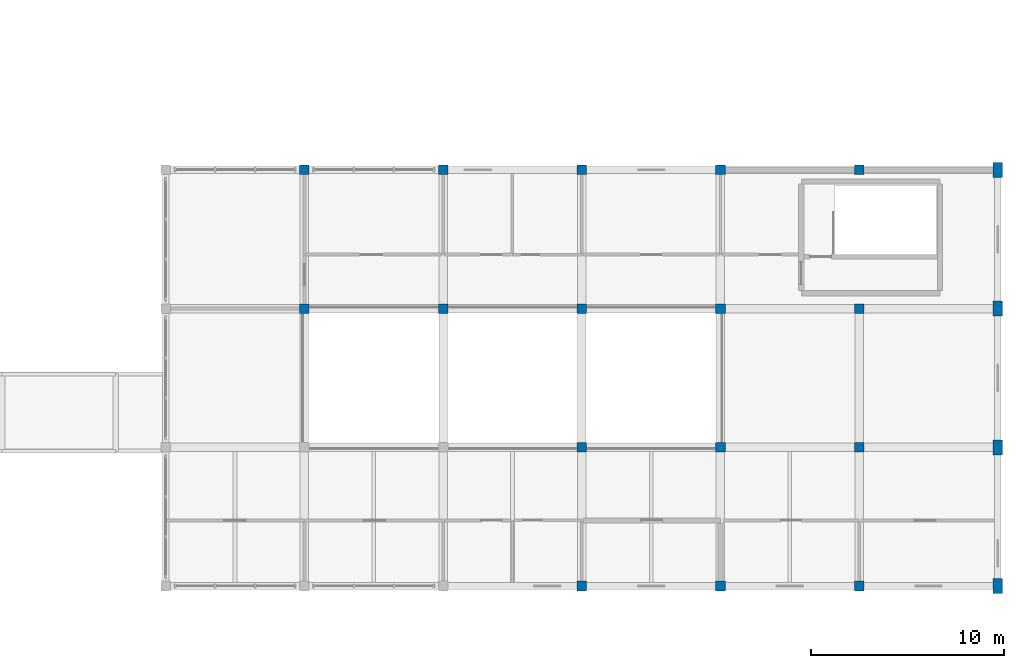
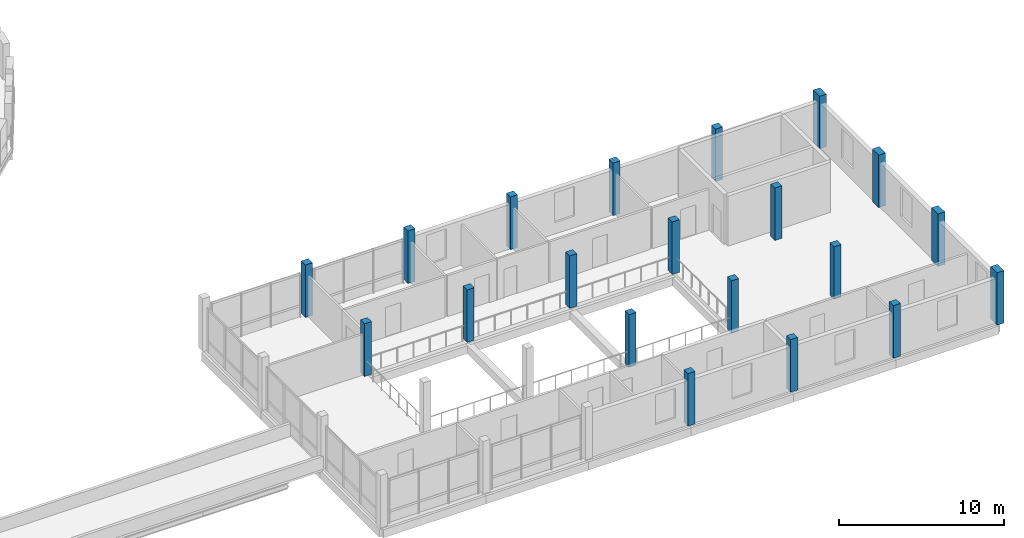
# One storey, part 8 of 128: 20 columns.
"""IFC4 building model written with IfcOpenShell, lengths in metres."""

from ifc_helpers import new_model, si_unit, direction, frame, origin, origin_2d, place, context, subcontext, project, spatial, rectangle, extrude, material, material_profile, profile_set, type_object, element, save


model = new_model("IFC4")

# Units and contexts
model_context = context("Model", 3, precision=1e-05, world=origin(), true_north=direction((0.0, 1.0)))
body_context = subcontext(model_context, "Body", "Model", "MODEL_VIEW")
ifc_project = project(units=[si_unit("LENGTHUNIT", "METRE"), si_unit("AREAUNIT", "SQUARE_METRE"), si_unit("VOLUMEUNIT", "CUBIC_METRE"), si_unit("PLANEANGLEUNIT", "RADIAN"), si_unit("MASSUNIT", "GRAM", prefix="KILO")], contexts=[model_context])

# Site, building, storey
site_placement = place(None, origin())
site = spatial("IfcSite", under=ifc_project, at=site_placement, CompositionType="ELEMENT")
building_placement = place(site_placement, origin())
building = spatial("IfcBuilding", under=site, at=building_placement, Name="Zornivar Specialist Clinic", CompositionType="ELEMENT")
storey_placement = place(building_placement, frame((0.0, 0.0, 4.5)))
storey = spatial("IfcBuildingStorey", under=building, at=storey_placement, Name="L01", CompositionType="ELEMENT", Elevation=4.5)

# Columns
ifc_material_1 = material(Name="Concrete C35/45", Category="concrete")
ifc_material_profile_1 = material_profile(ifc_material_1, rectangle(XDim=0.47998046875, YDim=0.780029296875, at=origin_2d()), Name="RC 480x780")
ifc_profile_set_1 = profile_set([ifc_material_profile_1], Name="Concrete C35/45")
column_type_1 = type_object("IfcColumnType", Name="COL-RC-480x780", PredefinedType="PILASTER", material=ifc_profile_set_1)
for number, where, z_axis, x_axis, name in (
    (1, (165.60009765625, 0.0, 0.0), (0.0, 0.0, 1.0), (1.0, 0.0, 0.0), "col:V4:L01:1656_0"),
    (2, (165.60009765625, 7.199951171875, 0.0), (0.0, 0.0, 1.0), (1.0, 0.0, 0.0), "col:V4:L01:1656_72"),
    (3, (165.60009765625, 14.39990234375, 0.0), (0.0, 0.0, 1.0), (1.0, 0.0, 0.0), "col:V4:L01:1656_144"),
    (4, (165.60009765625, 21.60009765625, 0.0), (0.0, 0.0, 1.0), (1.0, 0.0, 0.0), "col:V4:L01:1656_216"),
):
    element("IfcColumn", number, at=place(storey_placement, frame(where, z_axis=z_axis, x_axis=x_axis)), inside=storey, type_object=column_type_1, Name=name, PredefinedType="PILASTER", context=body_context, shape_type="SweptSolid", body=[
        extrude(rectangle(XDim=0.47998046875, YDim=0.780029296875, at=origin_2d()), origin(), (0.0, 0.0, 1.0), 3.89990234375),
    ])
ifc_material_2 = material(Name="Concrete C35/45", Category="concrete")
ifc_material_profile_2 = material_profile(ifc_material_2, rectangle(XDim=0.5, YDim=0.5, at=origin_2d()), Name="RC 500x500")
ifc_profile_set_2 = profile_set([ifc_material_profile_2], Name="Concrete C35/45")
column_type_2 = type_object("IfcColumnType", Name="COL-RC-500", PredefinedType="COLUMN", material=ifc_profile_set_2)
for number, where, z_axis, x_axis, name in (
    (5, (129.60009765625, 14.39990234375, 0.0), (0.0, 0.0, 1.0), (1.0, 0.0, 0.0), "col:V4:L01:1296_144"),
    (6, (129.60009765625, 21.60009765625, 0.0), (0.0, 0.0, 1.0), (1.0, 0.0, 0.0), "col:V4:L01:1296_216"),
    (7, (136.800048828125, 14.39990234375, 0.0), (0.0, 0.0, 1.0), (1.0, 0.0, 0.0), "col:V4:L01:1368_144"),
    (8, (136.800048828125, 21.60009765625, 0.0), (0.0, 0.0, 1.0), (1.0, 0.0, 0.0), "col:V4:L01:1368_216"),
    (9, (144.0, 0.0, 0.0), (0.0, 0.0, 1.0), (1.0, 0.0, 0.0), "col:V4:L01:1440_0"),
    (10, (144.0, 7.199951171875, 0.0), (0.0, 0.0, 1.0), (1.0, 0.0, 0.0), "col:V4:L01:1440_72"),
    (11, (144.0, 14.39990234375, 0.0), (0.0, 0.0, 1.0), (1.0, 0.0, 0.0), "col:V4:L01:1440_144"),
    (12, (144.0, 21.60009765625, 0.0), (0.0, 0.0, 1.0), (1.0, 0.0, 0.0), "col:V4:L01:1440_216"),
    (13, (151.199951171875, 0.0, 0.0), (0.0, 0.0, 1.0), (1.0, 0.0, 0.0), "col:V4:L01:1512_0"),
    (14, (151.199951171875, 7.199951171875, 0.0), (0.0, 0.0, 1.0), (1.0, 0.0, 0.0), "col:V4:L01:1512_72"),
    (15, (151.199951171875, 14.39990234375, 0.0), (0.0, 0.0, 1.0), (1.0, 0.0, 0.0), "col:V4:L01:1512_144"),
    (16, (151.199951171875, 21.60009765625, 0.0), (0.0, 0.0, 1.0), (1.0, 0.0, 0.0), "col:V4:L01:1512_216"),
    (17, (158.39990234375, 0.0, 0.0), (0.0, 0.0, 1.0), (1.0, 0.0, 0.0), "col:V4:L01:1584_0"),
    (18, (158.39990234375, 7.199951171875, 0.0), (0.0, 0.0, 1.0), (1.0, 0.0, 0.0), "col:V4:L01:1584_72"),
    (19, (158.39990234375, 14.39990234375, 0.0), (0.0, 0.0, 1.0), (1.0, 0.0, 0.0), "col:V4:L01:1584_144"),
    (20, (158.39990234375, 21.60009765625, 0.0), (0.0, 0.0, 1.0), (1.0, 0.0, 0.0), "col:V4:L01:1584_216"),
):
    element("IfcColumn", number, at=place(storey_placement, frame(where, z_axis=z_axis, x_axis=x_axis)), inside=storey, type_object=column_type_2, Name=name, PredefinedType="COLUMN", context=body_context, shape_type="SweptSolid", body=[
        extrude(rectangle(XDim=0.5, YDim=0.5, at=origin_2d()), origin(), (0.0, 0.0, 1.0), 3.89990234375),
    ])

save(model, "model.ifc")
